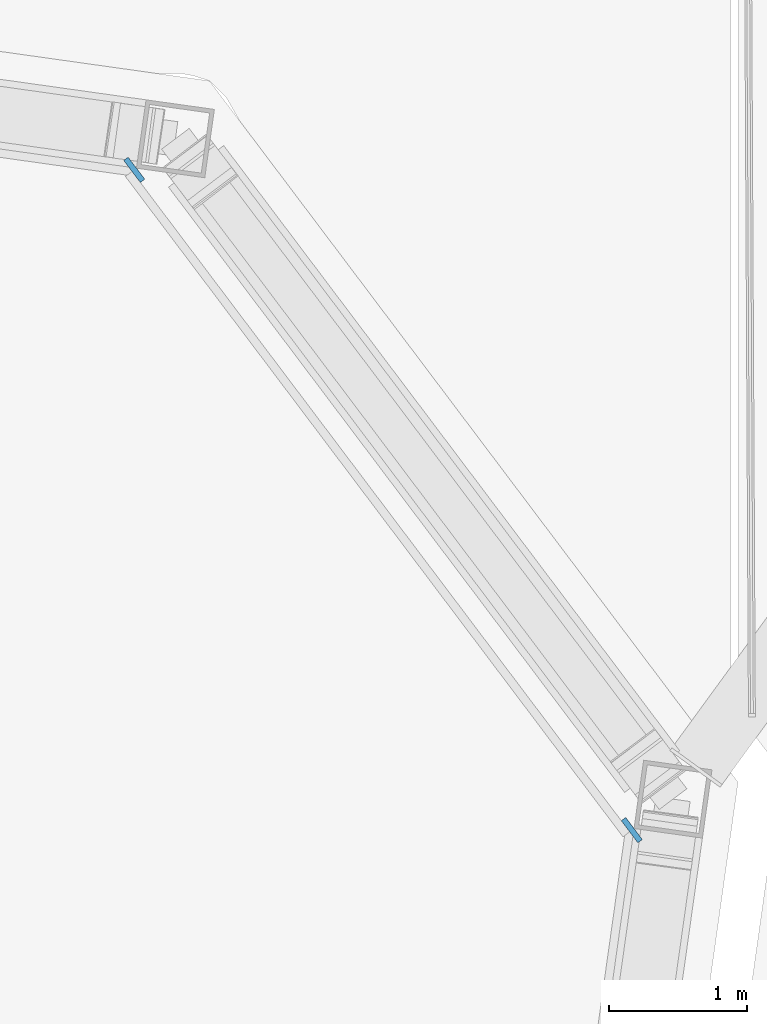
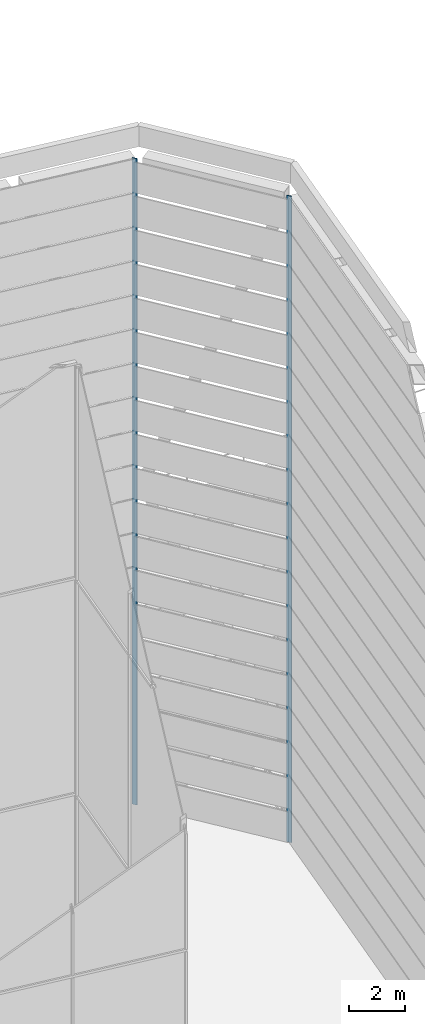
# One storey, part 25 of 45: 2 discrete accessories.
"""IFC4 building model written with IfcOpenShell, lengths in metres."""

import ifcopenshell
import ifcopenshell.guid

model = None  # the IFC model being written
_history = None  # IfcOwnerHistory: only IFC2X3 demands one
_inside = {}  # id of a spatial element -> (the spatial element, [elements in it])
_under = {}  # id of a project, library or spatial element -> (it, [spatial elements below it])
_declared = {}  # id of a project -> (the project, [libraries it declares])
_typed = {}  # id of a type object -> (the type object, [elements of that type])
_made_of = {}  # id of a material, layer set ... -> (it, [elements and type objects made of it])


def new_model(schema):
    """Start an empty IFC model of exactly this schema.

    Asked for "IFC4X3", IfcOpenShell would pick the latest addendum, in which some entities
    have other attributes; the version numbers below select the first issue.
    IFC2X3 requires an IfcOwnerHistory on every rooted entity: one is made here for all.
    """
    global model, _history
    if schema == "IFC4X3":
        model = ifcopenshell.file(schema_version=(4, 3, 0, 0))
    else:
        model = ifcopenshell.file(schema=schema)
    _inside.clear()
    _under.clear()
    _declared.clear()
    _typed.clear()
    _made_of.clear()
    _history = None
    if model.schema == "IFC2X3":
        org = make("IfcOrganization", Name="unknown")
        user = make(
            "IfcPersonAndOrganization",
            ThePerson=make("IfcPerson", FamilyName="unknown"),
            TheOrganization=org,
        )
        app = make(
            "IfcApplication",
            ApplicationDeveloper=org,
            Version="unknown",
            ApplicationFullName="unknown",
            ApplicationIdentifier="unknown",
        )
        _history = make(
            "IfcOwnerHistory",
            OwningUser=user,
            OwningApplication=app,
            ChangeAction="ADDED",
            CreationDate=0,
        )
    return model


def make(cls, **values):
    """One entity of the class cls with the attributes given. An attribute that is None is left unset."""
    return model.create_entity(
        cls, **{name: value for name, value in values.items() if value is not None}
    )


def rooted(cls, **values):
    """An entity with a GlobalId (a new one), such as an element, a storey or a relation."""
    return make(cls, GlobalId=ifcopenshell.guid.new(), OwnerHistory=_history, **values)


def si_unit(unit_type, name, prefix=None):
    """IfcSIUnit, for example si_unit("LENGTHUNIT", "METRE", prefix="MILLI")."""
    return make("IfcSIUnit", UnitType=unit_type, Prefix=prefix, Name=name)


def assignment(units):
    """IfcUnitAssignment: the units of a project."""
    return None if units is None else make("IfcUnitAssignment", Units=units)


def point(xyz):
    """IfcCartesianPoint."""
    return None if xyz is None else make("IfcCartesianPoint", Coordinates=xyz)


def direction(xyz):
    """IfcDirection."""
    return None if xyz is None else make("IfcDirection", DirectionRatios=xyz)


def frame(location, z_axis=None, x_axis=None):
    """IfcAxis2Placement3D, a coordinate frame: its origin and axes. An axis left out is left unset."""
    return make(
        "IfcAxis2Placement3D",
        Location=point(location),
        Axis=direction(z_axis),
        RefDirection=direction(x_axis),
    )


def frame_2d(location, x_axis=None):
    """IfcAxis2Placement2D, a coordinate frame in the plane: its origin and x axis."""
    return make(
        "IfcAxis2Placement2D", Location=point(location), RefDirection=direction(x_axis)
    )


def origin():
    """The frame at (0, 0, 0) with its axes left unset."""
    return frame((0.0, 0.0, 0.0))


def origin_2d():
    """The frame at (0, 0) in the plane with its x axis left unset."""
    return frame_2d((0.0, 0.0))


def place(relative_to, where):
    """IfcLocalPlacement: puts the frame where relative to a parent placement (None: the world)."""
    return make(
        "IfcLocalPlacement", PlacementRelTo=relative_to, RelativePlacement=where
    )


def context(
    kind, dimensions, precision=None, world=None, true_north=None, identifier=None
):
    """IfcGeometricRepresentationContext, for example the 3D "Model" context."""
    return make(
        "IfcGeometricRepresentationContext",
        ContextIdentifier=identifier,
        ContextType=kind,
        CoordinateSpaceDimension=dimensions,
        Precision=precision,
        WorldCoordinateSystem=world,
        TrueNorth=true_north,
    )


def subcontext(parent, identifier, kind, view, scale=None):
    """IfcGeometricRepresentationSubContext, for example "Body" below "Model"."""
    return make(
        "IfcGeometricRepresentationSubContext",
        ContextIdentifier=identifier,
        ContextType=kind,
        ParentContext=parent,
        TargetScale=scale,
        TargetView=view,
    )


def project(units=None, contexts=None):
    """IfcProject with its units and contexts."""
    return rooted(
        "IfcProject",
        Name="project",
        RepresentationContexts=contexts,
        UnitsInContext=assignment(units),
    )


def spatial(cls, under=None, at=None, **own):
    """A site, building, storey or space (cls), placed at a placement, below another one or the project."""
    s = rooted(cls, ObjectPlacement=at, **own)
    if under is not None:
        _under.setdefault(under.id(), (under, []))[1].append(s)
    return s


def profile(cls, at=None, kind="AREA", **sizes):
    """A parametric profile (cls). Its sizes go by their IFC names, for example OverallWidth=200.0."""
    return make(cls, ProfileType=kind, Position=at, **sizes)


def rectangle(**sizes):
    """IfcRectangleProfileDef."""
    return profile("IfcRectangleProfileDef", **sizes)


def extrude(swept, where, along, depth):
    """IfcExtrudedAreaSolid: the profile swept, set in the frame where, extruded along a direction by depth."""
    return make(
        "IfcExtrudedAreaSolid",
        SweptArea=swept,
        Position=where,
        ExtrudedDirection=direction(along),
        Depth=depth,
    )


def shape(context_of_items, identifier, shape_type, items):
    """IfcShapeRepresentation: the items that make up one representation, for example the "Body"."""
    return make(
        "IfcShapeRepresentation",
        ContextOfItems=context_of_items,
        RepresentationIdentifier=identifier,
        RepresentationType=shape_type,
        Items=items,
    )


def material(Name=None, Category=None):
    """IfcMaterial."""
    return make("IfcMaterial", Name=Name, Category=Category)


def layer(
    of_material, thickness, ventilated=None, Name=None, Category=None, Priority=None
):
    """IfcMaterialLayer: one layer of a wall or slab, of a material (None: an air gap)."""
    return make(
        "IfcMaterialLayer",
        Material=of_material,
        LayerThickness=thickness,
        IsVentilated=ventilated,
        Name=Name,
        Category=Category,
        Priority=Priority,
    )


def layer_set(layers, Name=None):
    """IfcMaterialLayerSet."""
    return make("IfcMaterialLayerSet", MaterialLayers=layers, LayerSetName=Name)


def made_of(thing, what):
    """Note that an element or type object is made of a material, layer set ...; save() writes the relation."""
    if what is not None:
        _made_of.setdefault(what.id(), (what, []))[1].append(thing)
    return thing


def type_object(cls, material=None, **own):
    """A type object (cls), such as IfcWallType, which elements share."""
    return made_of(rooted(cls, **own), material)


def element(
    cls,
    number,
    at=None,
    inside=None,
    cuts=None,
    type_object=None,
    material=None,
    context=None,
    identifier="Body",
    shape_type=None,
    held_by="IfcProductDefinitionShape",
    body=None,
    shapes=None,
    **own,
):
    """One element of the class cls, such as IfcWall. Its Tag is "e" and its number.

    at: its placement. inside: the storey or other place that contains it. cuts: it is an
    opening in that element (IfcRelVoidsElement). A single representation is given by context,
    identifier, shape_type and body (its items); several are given by shapes. held_by: the class
    of the entity that holds the representations. save() writes the other relations.
    """
    e = rooted(cls, Tag="e%d" % number, ObjectPlacement=at, **own)
    if body is not None:
        shapes = [shape(context, identifier, shape_type, body)]
    if shapes is not None:
        e.Representation = make(held_by, Representations=shapes)
    if inside is not None:
        _inside.setdefault(inside.id(), (inside, []))[1].append(e)
    if cuts is not None:
        rooted(
            "IfcRelVoidsElement", RelatingBuildingElement=cuts, RelatedOpeningElement=e
        )
    if type_object is not None:
        _typed.setdefault(type_object.id(), (type_object, []))[1].append(e)
    return made_of(e, material)


def aggregate(whole, parts):
    """IfcRelAggregates: a whole, such as a stair, and the parts it consists of."""
    return rooted("IfcRelAggregates", RelatingObject=whole, RelatedObjects=parts)


def save(model, path):
    """Write the relations noted so far, then the file.

    IfcRelAggregates (storeys below a building ...), IfcRelContainedInSpatialStructure (elements
    in a storey), IfcRelDefinesByType, IfcRelAssociatesMaterial and IfcRelDeclares: one each for
    every whole, place, type object, material and project.
    """
    for whole, parts in _under.values():
        aggregate(whole, parts)
    for where, things in _inside.values():
        rooted(
            "IfcRelContainedInSpatialStructure",
            RelatedElements=things,
            RelatingStructure=where,
        )
    for kind, things in _typed.values():
        rooted("IfcRelDefinesByType", RelatedObjects=things, RelatingType=kind)
    for what, things in _made_of.values():
        rooted("IfcRelAssociatesMaterial", RelatedObjects=things, RelatingMaterial=what)
    for by, libraries in _declared.values():
        rooted("IfcRelDeclares", RelatingContext=by, RelatedDefinitions=libraries)
    model.write(path)


model = new_model("IFC4")

# Units and contexts
model_context = context("Model", 3, precision=1e-05, world=origin(), true_north=direction((0.0, 1.0)))
body_context = subcontext(model_context, "Body", "Model", "MODEL_VIEW")
ifc_project = project(units=[si_unit("LENGTHUNIT", "METRE"), si_unit("AREAUNIT", "SQUARE_METRE"), si_unit("VOLUMEUNIT", "CUBIC_METRE"), si_unit("PLANEANGLEUNIT", "RADIAN"), si_unit("MASSUNIT", "GRAM", prefix="KILO")], contexts=[model_context])

# Site, building, storey
site_placement = place(None, origin())
site = spatial("IfcSite", under=ifc_project, at=site_placement, CompositionType="ELEMENT")
building_placement = place(site_placement, origin())
building = spatial("IfcBuilding", under=site, at=building_placement, Name="Mirante Cascada Hotel Towers", CompositionType="ELEMENT")
storey_placement = place(building_placement, frame((0.0, 0.0, 269.8)))
storey = spatial("IfcBuildingStorey", under=building, at=storey_placement, Name="Roof garden", CompositionType="ELEMENT", Elevation=269.8)

# Discrete accessories
ifc_material = material(Name="Stainless steel AISI 316", Category="steel")
ifc_layer = layer(ifc_material, 0.04)
ifc_layer_set = layer_set([ifc_layer], Name="Support bracket 200x40")
discrete_accessory_type = type_object("IfcDiscreteAccessoryType", Name="Support bracket 200x40", PredefinedType="BRACKET", material=ifc_layer_set)
for number, where, z_axis, x_axis, name in (
    (1, (-13.0213, 9.8013, 0.05), (0.0, 0.0, 1.0), (-0.601815, 0.7986355, 0.0), "Louvre support bracket T1"),
    (2, (-16.6268, 14.5861, 0.05), (0.0, 0.0, 1.0), (-0.601815, 0.7986355, 0.0), "Louvre support bracket T1"),
):
    element("IfcDiscreteAccessory", number, at=place(storey_placement, frame(where, z_axis=z_axis, x_axis=x_axis)), inside=storey, type_object=discrete_accessory_type, Name=name, PredefinedType="BRACKET", context=body_context, shape_type="SweptSolid", body=[
        extrude(rectangle(XDim=0.2, YDim=0.04, at=origin_2d()), origin(), (0.0, 0.0, 1.0), 28.2),
    ])

save(model, "model.ifc")
